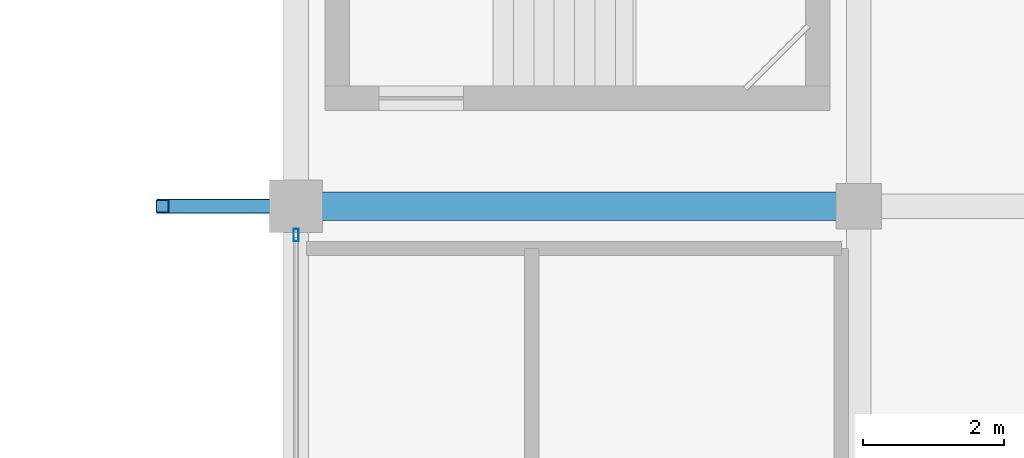
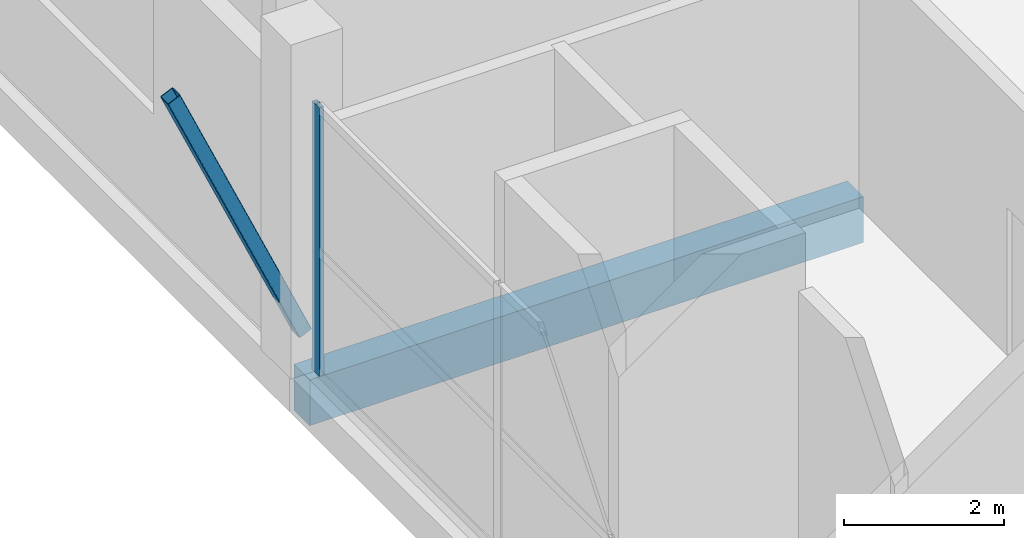
# One storey, part 28 of 67: 2 members, 1 beam, 1 element without a shape of its own.
"""IFC4 building model written with IfcOpenShell, lengths in metres."""

from ifc_helpers import new_model, si_unit, direction, frame, origin, origin_2d, place, context, subcontext, project, spatial, rectangle, hollow_rectangle, extrude, material, layer, layer_set, material_profile, profile_set, type_object, element, aggregate, save


model = new_model("IFC4")

# Units and contexts
model_context = context("Model", 3, precision=1e-05, world=origin(), true_north=direction((0.0, 1.0)))
body_context = subcontext(model_context, "Body", "Model", "MODEL_VIEW")
ifc_project = project(units=[si_unit("LENGTHUNIT", "METRE"), si_unit("AREAUNIT", "SQUARE_METRE"), si_unit("VOLUMEUNIT", "CUBIC_METRE"), si_unit("PLANEANGLEUNIT", "RADIAN"), si_unit("MASSUNIT", "GRAM", prefix="KILO")], contexts=[model_context])

# Site, building, storey
site_placement = place(None, origin())
site = spatial("IfcSite", under=ifc_project, at=site_placement, CompositionType="ELEMENT")
building_placement = place(site_placement, origin())
building = spatial("IfcBuilding", under=site, at=building_placement, Name="Sillaruma Civic Art Gallery", CompositionType="ELEMENT")
storey_placement = place(building_placement, frame((0.0, 0.0, 46.919921875)))
storey = spatial("IfcBuildingStorey", under=building, at=storey_placement, Name="L09", CompositionType="ELEMENT", Elevation=46.919921875)

# Beam
ifc_material_1 = material(Name="Concrete H35 (35 MPa)", Category="concrete")
ifc_material_profile_1 = material_profile(ifc_material_1, rectangle(XDim=0.39990234375, YDim=0.699951171875, at=origin_2d()), Name="RCB400x700")
ifc_profile_set_1 = profile_set([ifc_material_profile_1], Name="Concrete H35 (35 MPa)")
beam_type = type_object("IfcBeamType", Name="BM-BEAM-RCB400x700", PredefinedType="BEAM", material=ifc_profile_set_1)
beam_placement = place(storey_placement, frame((62.0, 79.199951171875, -0.599853515625), z_axis=(1.0, 0.0, 0.0), x_axis=(0.0, 1.0, 0.0)))
element("IfcBeam", 1, at=beam_placement, inside=storey, type_object=beam_type, Name="Beam BM-04 (L08:9:F-G)", PredefinedType="BEAM", context=body_context, shape_type="SweptSolid", body=[
    extrude(rectangle(XDim=0.39990234375, YDim=0.699951171875, at=origin_2d()), origin(), (0.0, 0.0, 1.0), 8.0),
])

# Curtain wall, member
ifc_material_2 = material(Name="Thermally Broken Extruded Aluminium 6063-T6", Category="aluminium")
ifc_layer = layer(ifc_material_2, 0.179931640625, Name="Thermally Broken Extruded Aluminium 6063-T6")
ifc_layer_set = layer_set([ifc_layer], Name="Thermally Broken Extruded Aluminium 6063-T6")
curtain_wall_type = type_object("IfcCurtainWallType", Name="CW-UNI-66", PredefinedType="NOTDEFINED", material=ifc_layer_set)
curtain_wall_placement = place(storey_placement, origin())
curtain_wall = element("IfcCurtainWall", 2, at=curtain_wall_placement, inside=storey, type_object=curtain_wall_type, Name="Unitised Curtain Wall CW-66 (CW-L09-WBW-6)", PredefinedType="NOTDEFINED")
ifc_material_profile_2 = material_profile(ifc_material_2, hollow_rectangle(XDim=0.070068359375, YDim=0.179931640625, WallThickness=0.00390625, at=origin_2d()), Name="CWM70x180")
ifc_profile_set_2 = profile_set([ifc_material_profile_2], Name="Thermally Broken Extruded Aluminium 6063-T6")
member_type_1 = type_object("IfcMemberType", Name="MEM-MUL-CWM70x180", PredefinedType="MULLION", material=ifc_profile_set_2)
member_1_placement = place(storey_placement, frame((62.0, 78.7900390625, 0.0), z_axis=(0.0, 0.0, 1.0), x_axis=(-1.0, 0.0, 0.0)))
member_1 = element("IfcMember", 3, at=member_1_placement, type_object=member_type_1, Name="CW-66 mullion 3", PredefinedType="MULLION", context=body_context, shape_type="SweptSolid", body=[
    extrude(hollow_rectangle(XDim=0.070068359375, YDim=0.179931640625, WallThickness=0.00390625, at=origin_2d()), origin(), (0.0, 0.0, 1.0), 4.10009765625),
])
aggregate(curtain_wall, [member_1])

# Member
ifc_material_3 = material(Name="Structural Steel ASTM A500 Gr.C", Category="steel")
ifc_material_profile_3 = material_profile(ifc_material_3, hollow_rectangle(XDim=0.199951171875, YDim=0.199951171875, WallThickness=0.010009765625, InnerFilletRadius=0.010009765625, OuterFilletRadius=0.02001953125, at=origin_2d()), Name="HSS200x200x10")
ifc_profile_set_3 = profile_set([ifc_material_profile_3], Name="Structural Steel ASTM A500 Gr.C")
member_type_2 = type_object("IfcMemberType", Name="MEM-PROW-BRACE", PredefinedType="BRACE", material=ifc_profile_set_3)
member_2_placement = place(storey_placement, frame((62.0, 79.199951171875, 0.400146484375), z_axis=(-0.409367027212, 0.0, 0.912369791823), x_axis=(0.0, -1.0, 0.0)))
element("IfcMember", 4, at=member_2_placement, inside=storey, type_object=member_type_2, Name="Deconstructivist Prow Diagonal Brace (PRW-L10-W-FLR-N)", PredefinedType="BRACE", context=body_context, shape_type="SweptSolid", body=[
    extrude(hollow_rectangle(XDim=0.199951171875, YDim=0.199951171875, WallThickness=0.010009765625, InnerFilletRadius=0.010009765625, OuterFilletRadius=0.02001953125, at=origin_2d()), origin(), (0.0, 0.0, 1.0), 4.64111328125),
])

save(model, "model.ifc")
